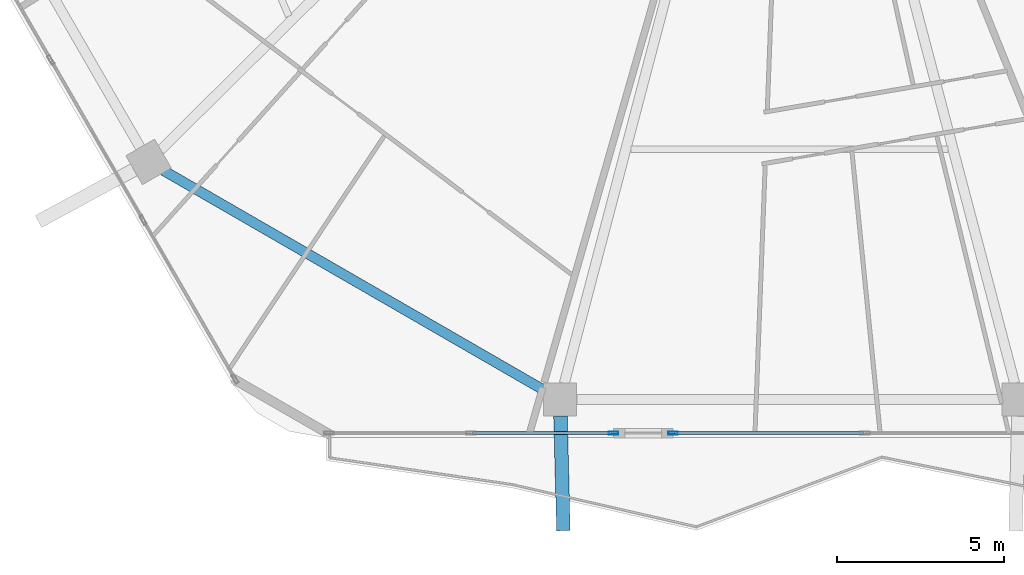
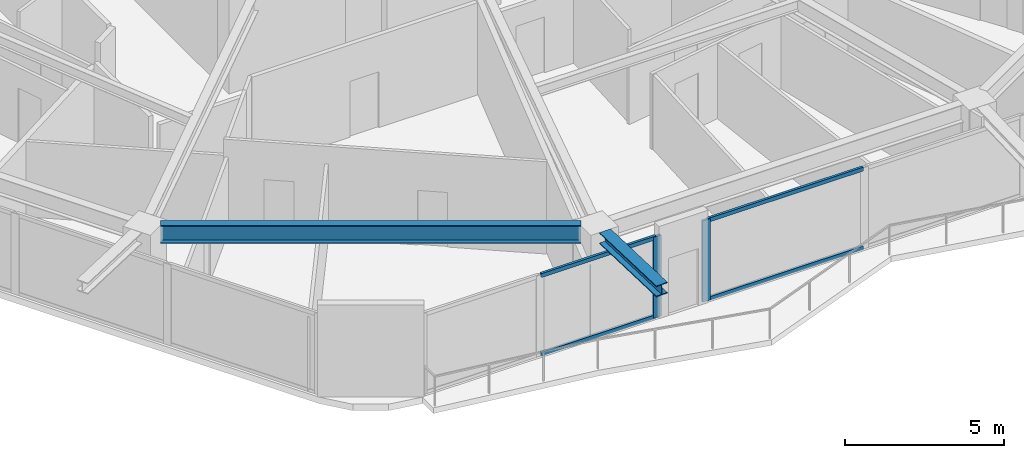
# One storey, part 3 of 25: 6 members, 2 beams, 2 elements without a shape of their own.
"""IFC4 building model written with IfcOpenShell, lengths in metres."""

from ifc_helpers import new_model, si_unit, direction, frame, origin, origin_2d, place, context, subcontext, project, spatial, hollow_rectangle, i_section, extrude, material, material_profile, profile_set, type_object, element, aggregate, save


model = new_model("IFC4")

# Units and contexts
model_context = context("Model", 3, precision=1e-05, world=origin(), true_north=direction((0.0, 1.0)))
body_context = subcontext(model_context, "Body", "Model", "MODEL_VIEW")
ifc_project = project(units=[si_unit("LENGTHUNIT", "METRE"), si_unit("AREAUNIT", "SQUARE_METRE"), si_unit("VOLUMEUNIT", "CUBIC_METRE"), si_unit("PLANEANGLEUNIT", "RADIAN"), si_unit("MASSUNIT", "GRAM", prefix="KILO")], contexts=[model_context])

# Site, building, storey
site_placement = place(None, origin())
site = spatial("IfcSite", under=ifc_project, at=site_placement, CompositionType="ELEMENT")
building_placement = place(site_placement, origin())
building = spatial("IfcBuilding", under=site, at=building_placement, Name="Zuhravey Tower", CompositionType="ELEMENT")
storey_placement = place(building_placement, frame((0.0, 0.0, 150.39990234375)))
storey = spatial("IfcBuildingStorey", under=building, at=storey_placement, Name="L37", CompositionType="ELEMENT", Elevation=150.39990234375)

# Curtain wall, member
ifc_material_1 = material(Name="Thermally broken anodised aluminium", Category="aluminium")
curtain_wall_type = type_object("IfcCurtainWallType", Name="Zone 1-2 Residential Curtain Wall CW3", PredefinedType="NOTDEFINED", material=ifc_material_1)
curtain_wall_1_placement = place(storey_placement, origin())
curtain_wall_1 = element("IfcCurtainWall", 1, at=curtain_wall_1_placement, inside=storey, type_object=curtain_wall_type, Name="L37 CW3 CW-L37-F5-1", PredefinedType="NOTDEFINED")
ifc_material_2 = material(Name="Anodised aluminium", Category="aluminium")
ifc_material_profile_1 = material_profile(ifc_material_2, hollow_rectangle(XDim=0.090087890625, YDim=0.284912109375, WallThickness=0.0048828125, at=origin_2d()), Name="ALU-RHS-90x285x5")
ifc_profile_set_1 = profile_set([ifc_material_profile_1], Name="Anodised aluminium")
member_type_1 = type_object("IfcMemberType", Name="Curtain-Wall Mullion 90x180", PredefinedType="MULLION", material=ifc_profile_set_1)
member_1_placement = place(storey_placement, frame((32.509521484375, 4.81689453125, 0.0), z_axis=(0.0, 0.0, 1.0), x_axis=(0.0, -1.0, 0.0)))
member_1 = element("IfcMember", 2, at=member_1_placement, type_object=member_type_1, Name="CW3 mullion 4", PredefinedType="MULLION", context=body_context, shape_type="SweptSolid", body=[
    extrude(hollow_rectangle(XDim=0.090087890625, YDim=0.284912109375, WallThickness=0.0048828125, at=origin_2d()), origin(), (0.0, 0.0, 1.0), 3.1220703125),
])

curtain_wall_2_placement = place(storey_placement, origin())
curtain_wall_2 = element("IfcCurtainWall", 3, at=curtain_wall_2_placement, inside=storey, type_object=curtain_wall_type, Name="L37 CW3 CW-L37-F5-2", PredefinedType="NOTDEFINED")
member_2_placement = place(storey_placement, frame((30.719482421875, 4.81689453125, 0.0), z_axis=(0.0, 0.0, 1.0), x_axis=(0.0, -1.0, 0.0)))
member_2 = element("IfcMember", 4, at=member_2_placement, type_object=member_type_1, Name="CW3 mullion 1", PredefinedType="MULLION", context=body_context, shape_type="SweptSolid", body=[
    extrude(hollow_rectangle(XDim=0.090087890625, YDim=0.284912109375, WallThickness=0.0048828125, at=origin_2d()), origin(), (0.0, 0.0, 1.0), 3.1220703125),
])

# Member
ifc_material_profile_2 = material_profile(ifc_material_2, hollow_rectangle(XDim=0.090087890625, YDim=0.14990234375, WallThickness=0.0048828125, at=origin_2d()), Name="ALU-RHS-90x150x5")
ifc_profile_set_2 = profile_set([ifc_material_profile_2], Name="Anodised aluminium")
member_type_2 = type_object("IfcMemberType", Name="Curtain-Wall Transom 90x150", PredefinedType="USERDEFINED", material=ifc_profile_set_2)
member_3_placement = place(storey_placement, frame((38.218505859375, 4.81689453125, 0.045166015625), z_axis=(-1.0, 0.0, 0.0), x_axis=(0.0, -1.0, 0.0)))
member_3 = element("IfcMember", 5, at=member_3_placement, type_object=member_type_2, Name="CW3 transom 3.1", ObjectType="TRANSOM", PredefinedType="USERDEFINED", context=body_context, shape_type="SweptSolid", body=[
    extrude(hollow_rectangle(XDim=0.090087890625, YDim=0.14990234375, WallThickness=0.0048828125, at=origin_2d()), origin(), (0.0, 0.0, 1.0), 5.663818359375),
])

member_4_placement = place(storey_placement, frame((38.218505859375, 4.81689453125, 3.0771484375), z_axis=(-1.0, 0.0, 0.0), x_axis=(0.0, -1.0, 0.0)))
member_4 = element("IfcMember", 6, at=member_4_placement, type_object=member_type_2, Name="CW3 transom 3.2", ObjectType="TRANSOM", PredefinedType="USERDEFINED", context=body_context, shape_type="SweptSolid", body=[
    extrude(hollow_rectangle(XDim=0.090087890625, YDim=0.14990234375, WallThickness=0.0048828125, at=origin_2d()), origin(), (0.0, 0.0, 1.0), 5.663818359375),
])

aggregate(curtain_wall_1, [member_1, member_3, member_4])

member_5_placement = place(storey_placement, frame((30.674560546875, 4.81689453125, 0.045166015625), z_axis=(-1.0, 0.0, 0.0), x_axis=(0.0, -1.0, 0.0)))
member_5 = element("IfcMember", 7, at=member_5_placement, type_object=member_type_2, Name="CW3 transom 1.1", ObjectType="TRANSOM", PredefinedType="USERDEFINED", context=body_context, shape_type="SweptSolid", body=[
    extrude(hollow_rectangle(XDim=0.090087890625, YDim=0.14990234375, WallThickness=0.0048828125, at=origin_2d()), origin(), (0.0, 0.0, 1.0), 4.177734375),
])

member_6_placement = place(storey_placement, frame((30.674560546875, 4.81689453125, 3.0771484375), z_axis=(-1.0, 0.0, 0.0), x_axis=(0.0, -1.0, 0.0)))
member_6 = element("IfcMember", 8, at=member_6_placement, type_object=member_type_2, Name="CW3 transom 1.2", ObjectType="TRANSOM", PredefinedType="USERDEFINED", context=body_context, shape_type="SweptSolid", body=[
    extrude(hollow_rectangle(XDim=0.090087890625, YDim=0.14990234375, WallThickness=0.0048828125, at=origin_2d()), origin(), (0.0, 0.0, 1.0), 4.177734375),
])

aggregate(curtain_wall_2, [member_2, member_5, member_6])

# Beams
ifc_material_3 = material(Name="Steel SM460", Category="steel")
ifc_material_profile_3 = material_profile(ifc_material_3, i_section(OverallWidth=0.406982421875, OverallDepth=0.427978515625, WebThickness=0.02001953125, FlangeThickness=0.034912109375, at=origin_2d()), Name="H-428x407x20x35")
ifc_profile_set_3 = profile_set([ifc_material_profile_3], Name="Steel SM460")
beam_type_1 = type_object("IfcBeamType", Name="Exoskeleton Node Tie Beam H428x407", PredefinedType="BEAM", material=ifc_profile_set_3)
beam_1_placement = place(storey_placement, frame((29.130859375, 5.322998046875, 3.336181640625), z_axis=(0.025535999093, -0.999673903206, 0.0), x_axis=(0.999673903206, 0.025535999093, 0.0)))
element("IfcBeam", 9, at=beam_1_placement, inside=storey, type_object=beam_type_1, Name="L37 Exoskeleton Node Tie NT1-09", PredefinedType="BEAM", context=body_context, shape_type="SweptSolid", body=[
    extrude(i_section(OverallWidth=0.406982421875, OverallDepth=0.427978515625, WebThickness=0.02001953125, FlangeThickness=0.034912109375, at=origin_2d()), origin(), (0.0, 0.0, 1.0), 3.432373046875),
])
ifc_material_4 = material(Name="Steel SM355", Category="steel")
ifc_material_profile_4 = material_profile(ifc_material_4, i_section(OverallWidth=0.300048828125, OverallDepth=0.679931640625, WebThickness=0.012939453125, FlangeThickness=0.02197265625, at=origin_2d()), Name="H-680x300x13x22")
ifc_profile_set_4 = profile_set([ifc_material_profile_4], Name="Steel SM355")
beam_type_2 = type_object("IfcBeamType", Name="Perimeter Ring Beam H680x300", PredefinedType="BEAM", material=ifc_profile_set_4)
beam_2_placement = place(storey_placement, frame((17.210205078125, 12.701904296875, 3.210205078125), z_axis=(0.866022923061, -0.500004296715, 0.0), x_axis=(0.500004296715, 0.866022923061, 0.0)))
element("IfcBeam", 10, at=beam_2_placement, inside=storey, type_object=beam_type_2, Name="L37 PB2 BM-L37-PB-08", PredefinedType="BEAM", context=body_context, shape_type="SweptSolid", body=[
    extrude(i_section(OverallWidth=0.300048828125, OverallDepth=0.679931640625, WebThickness=0.012939453125, FlangeThickness=0.02197265625, at=origin_2d()), origin(), (0.0, 0.0, 1.0), 13.2470703125),
])

save(model, "model.ifc")
